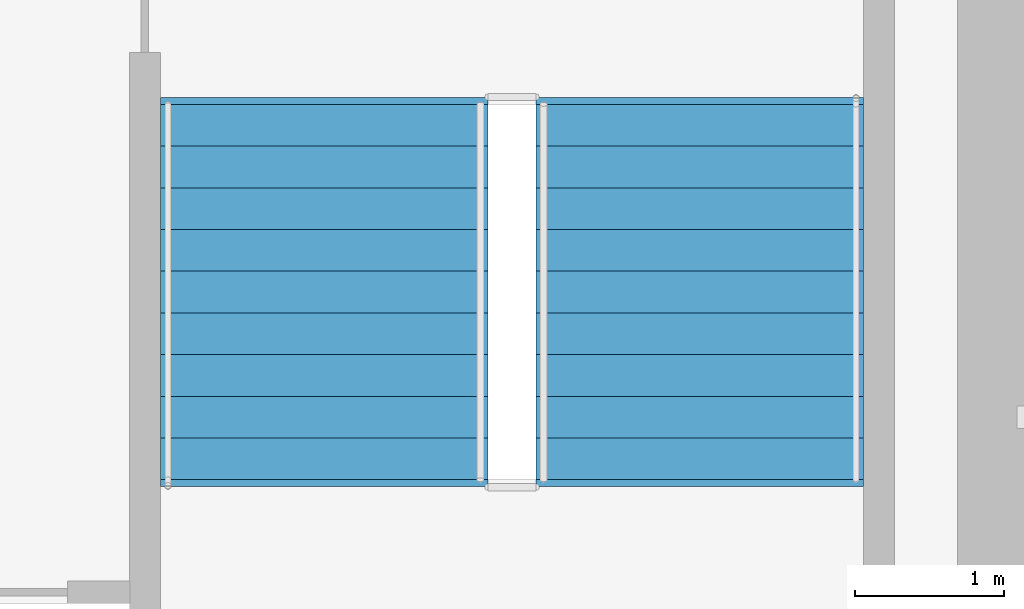
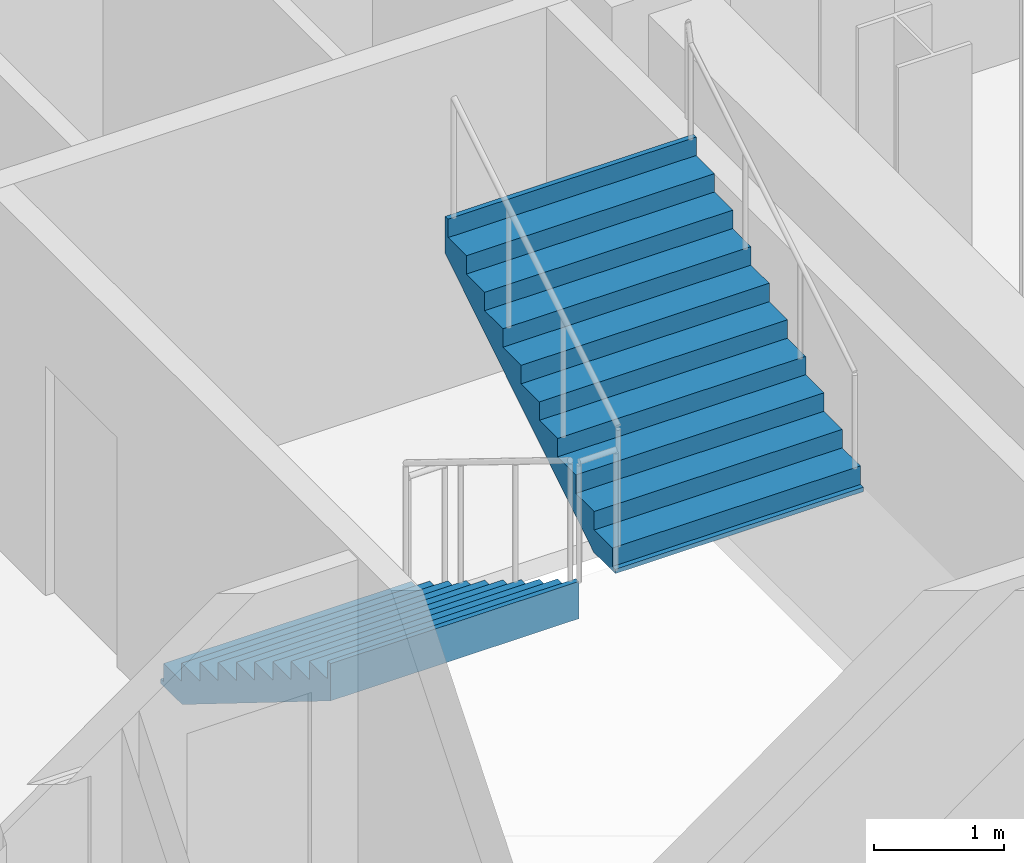
# One storey, part 8 of 10: 2 stair flights, 1 element without a shape of its own.
"""IFC4 building model written with IfcOpenShell, lengths in metres."""

from ifc_helpers import new_model, si_unit, direction, frame, origin, place, context, subcontext, project, spatial, polyline, outline, extrude, material, layer, layer_set, type_object, element, aggregate, save


model = new_model("IFC4")

# Units and contexts
model_context = context("Model", 3, precision=1e-05, world=origin(), true_north=direction((0.0, 1.0)))
body_context = subcontext(model_context, "Body", "Model", "MODEL_VIEW")
ifc_project = project(units=[si_unit("LENGTHUNIT", "METRE"), si_unit("AREAUNIT", "SQUARE_METRE"), si_unit("VOLUMEUNIT", "CUBIC_METRE"), si_unit("PLANEANGLEUNIT", "RADIAN"), si_unit("MASSUNIT", "GRAM", prefix="KILO")], contexts=[model_context])

# Site, building, storey
site_placement = place(None, origin())
site = spatial("IfcSite", under=ifc_project, at=site_placement, CompositionType="ELEMENT")
building_placement = place(site_placement, origin())
building = spatial("IfcBuilding", under=site, at=building_placement, Name="Velakula Bourse", CompositionType="ELEMENT")
storey_placement = place(building_placement, frame((0.0, 0.0, 145.0)))
storey = spatial("IfcBuildingStorey", under=building, at=storey_placement, Name="L39", CompositionType="ELEMENT", Elevation=145.0)

# Stair, stair flights
ifc_material = material(Name="Concrete M45 (fck 45 MPa)", Category="concrete")
stair_type = type_object("IfcStairType", Name="STR-DOG-390", PredefinedType="HALF_TURN_STAIR", material=ifc_material)
stair_placement = place(storey_placement, origin())
stair = element("IfcStair", 1, at=stair_placement, inside=storey, type_object=stair_type, Name="L39 East Core Exit Stair ST-E1", PredefinedType="HALF_TURN_STAIR")
ifc_layer = layer(ifc_material, 0.195068359375, Name="Concrete M45 (fck 45 MPa)", Category="concrete")
ifc_layer_set = layer_set([ifc_layer], Name="Concrete M45 (fck 45 MPa)")
stair_flight_type = type_object("IfcStairFlightType", Name="FLT-DOG-390", PredefinedType="STRAIGHT", material=ifc_layer_set)
stair_flight_1_placement = place(storey_placement, frame((14.198974609375, -2.199951171875, 0.0), z_axis=(0.0, 0.0, 1.0), x_axis=(0.0, -1.0, 0.0)))
stair_flight_1 = element("IfcStairFlight", 2, at=stair_flight_1_placement, type_object=stair_flight_type, Name="ST-E1 flight 1", NumberOfRisers=10, NumberOfTreads=9, PredefinedType="STRAIGHT", RiserHeight=0.1725, TreadLength=0.28, context=body_context, shape_type="SweptSolid", body=[
    extrude(outline(polyline([(-0.044921875, -0.0400390625), (-0.044921875, -0.036865234375), (-0.044921875, -0.033935546875), (-0.044921875, -0.03076171875), (-0.044921875, -0.027587890625), (-0.044921875, -0.024658203125), (-0.044921875, -0.021484375), (-0.044921875, -0.0185546875), (-0.044921875, -0.015380859375), (-0.044921875, -0.01220703125), (-0.044921875, -0.00927734375), (-0.044921875, -0.006103515625), (-0.044921875, -0.003173828125), (-0.044921875, 0.0), (0.0, 0.0), (0.0, 0.172607421875), (0.280029296875, 0.172607421875), (0.280029296875, 0.344970703125), (0.56005859375, 0.344970703125), (0.56005859375, 0.517578125), (0.840087890625, 0.517578125), (0.840087890625, 0.68994140625), (1.1201171875, 0.68994140625), (1.1201171875, 0.862548828125), (1.39990234375, 0.862548828125), (1.39990234375, 1.034912109375), (1.679931640625, 1.034912109375), (1.679931640625, 1.20751953125), (1.9599609375, 1.20751953125), (1.9599609375, 1.3798828125), (2.239990234375, 1.3798828125), (2.239990234375, 1.552490234375), (2.52001953125, 1.552490234375), (2.52001953125, 1.72509765625), (2.56494140625, 1.72509765625), (2.56494140625, 1.7001953125), (2.56494140625, 1.67529296875), (2.56494140625, 1.650390625), (2.56494140625, 1.62548828125), (2.56494140625, 1.6005859375), (2.56494140625, 1.57568359375), (2.56494140625, 1.55078125), (2.56494140625, 1.52587890625), (2.56494140625, 1.5009765625), (2.56494140625, 1.47607421875), (2.56494140625, 1.451171875), (2.56494140625, 1.42626953125), (2.56494140625, 1.4013671875), (2.56494140625, 1.37646484375), (0.285888671875, -0.0400390625), (-0.044921875, -0.0400390625)])), frame((0.0, 1.09912109375, 0.0), z_axis=(0.0, -1.0, 0.0), x_axis=(1.0, 0.0, 0.0)), (0.0, 0.0, 1.0), 2.197998046875),
])
stair_flight_2_placement = place(storey_placement, frame((16.720947265625, -4.719970703125, 1.72509765625), z_axis=(0.0, 0.0, 1.0), x_axis=(0.0, 1.0, 0.0)))
stair_flight_2 = element("IfcStairFlight", 3, at=stair_flight_2_placement, type_object=stair_flight_type, Name="ST-E1 flight 2", NumberOfRisers=10, NumberOfTreads=9, PredefinedType="STRAIGHT", RiserHeight=0.1725, TreadLength=0.28, context=body_context, shape_type="SweptSolid", body=[
    extrude(outline(polyline([(-0.044921875, -0.0400390625), (-0.044921875, -0.036865234375), (-0.044921875, -0.033935546875), (-0.044921875, -0.03076171875), (-0.044921875, -0.027587890625), (-0.044921875, -0.024658203125), (-0.044921875, -0.021484375), (-0.044921875, -0.0185546875), (-0.044921875, -0.015380859375), (-0.044921875, -0.01220703125), (-0.044921875, -0.00927734375), (-0.044921875, -0.006103515625), (-0.044921875, -0.003173828125), (-0.044921875, 0.0), (0.0, 0.0), (0.0, 0.172607421875), (0.280029296875, 0.172607421875), (0.280029296875, 0.344970703125), (0.56005859375, 0.344970703125), (0.56005859375, 0.517578125), (0.840087890625, 0.517578125), (0.840087890625, 0.68994140625), (1.1201171875, 0.68994140625), (1.1201171875, 0.862548828125), (1.39990234375, 0.862548828125), (1.39990234375, 1.034912109375), (1.679931640625, 1.034912109375), (1.679931640625, 1.20751953125), (1.9599609375, 1.20751953125), (1.9599609375, 1.3798828125), (2.239990234375, 1.3798828125), (2.239990234375, 1.552490234375), (2.52001953125, 1.552490234375), (2.52001953125, 1.72509765625), (2.56494140625, 1.72509765625), (2.56494140625, 1.7001953125), (2.56494140625, 1.67529296875), (2.56494140625, 1.650390625), (2.56494140625, 1.62548828125), (2.56494140625, 1.6005859375), (2.56494140625, 1.57568359375), (2.56494140625, 1.55078125), (2.56494140625, 1.52587890625), (2.56494140625, 1.5009765625), (2.56494140625, 1.47607421875), (2.56494140625, 1.451171875), (2.56494140625, 1.42626953125), (2.56494140625, 1.4013671875), (2.56494140625, 1.37646484375), (0.285888671875, -0.0400390625), (-0.044921875, -0.0400390625)])), frame((0.0, 1.09912109375, 0.0), z_axis=(0.0, -1.0, 0.0), x_axis=(1.0, 0.0, 0.0)), (0.0, 0.0, 1.0), 2.197998046875),
])
aggregate(stair, [stair_flight_1, stair_flight_2])

save(model, "model.ifc")
